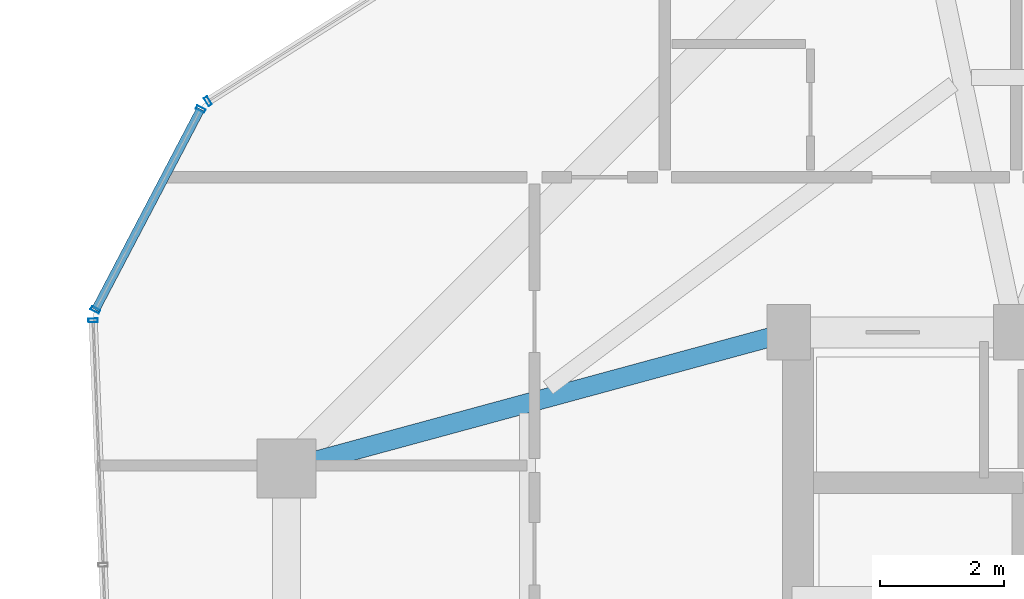
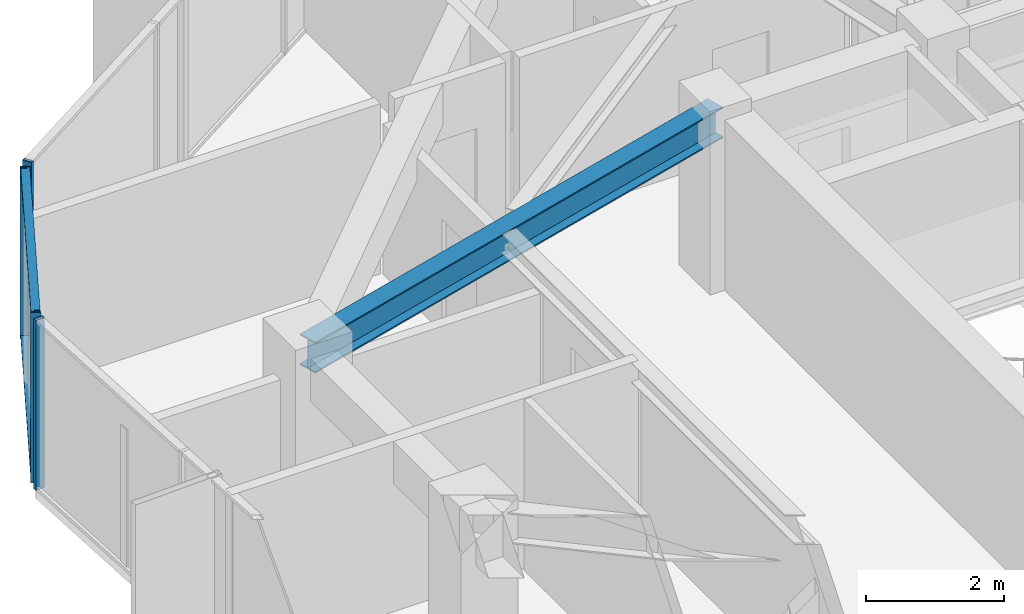
# One storey, part 16 of 33: 6 members, 1 beam, 3 elements without a shape of their own.
"""IFC4 building model written with IfcOpenShell, lengths in metres."""

from ifc_helpers import new_model, si_unit, direction, frame, origin, origin_2d, place, context, subcontext, project, spatial, hollow_rectangle, i_section, extrude, source, transform, mapped, material, layer, layer_set, material_profile, profile_set, type_object, element, aggregate, save


model = new_model("IFC4")

# Units and contexts
model_context = context("Model", 3, precision=1e-05, world=origin(), true_north=direction((0.0, 1.0)))
body_context = subcontext(model_context, "Body", "Model", "MODEL_VIEW")
ifc_project = project(units=[si_unit("LENGTHUNIT", "METRE"), si_unit("AREAUNIT", "SQUARE_METRE"), si_unit("VOLUMEUNIT", "CUBIC_METRE"), si_unit("PLANEANGLEUNIT", "RADIAN"), si_unit("MASSUNIT", "GRAM", prefix="KILO")], contexts=[model_context])

# Site, building, storey
site_placement = place(None, origin())
site = spatial("IfcSite", under=ifc_project, at=site_placement, CompositionType="ELEMENT")
building_placement = place(site_placement, origin())
building = spatial("IfcBuilding", under=site, at=building_placement, Name="Veraguas Prism Commons", CompositionType="ELEMENT")
storey_placement = place(building_placement, frame((0.0, 0.0, 198.35009765625)))
storey = spatial("IfcBuildingStorey", under=building, at=storey_placement, Name="L56", CompositionType="ELEMENT", Elevation=198.35009765625)

# Beam
ifc_material_1 = material(Name="Steel ASTM A992 Grade 50", Category="steel")
ifc_material_profile_1 = material_profile(ifc_material_1, i_section(OverallWidth=0.31103515625, OverallDepth=0.5458984375, WebThickness=0.0146484375, FlangeThickness=0.023681640625, at=origin_2d()), Name="W530X165")
ifc_profile_set_1 = profile_set([ifc_material_profile_1], Name="Steel ASTM A992 Grade 50")
beam_type = type_object("IfcBeamType", Name="Zone 3 Radial Girder W530x165", PredefinedType="BEAM", material=ifc_profile_set_1)
beam_placement = place(storey_placement, frame((9.10009765625, 28.800048828125, 2.741943359375), z_axis=(0.965038506703, 0.262108146725, 0.0), x_axis=(-0.262108146725, 0.965038506703, 0.0)))
element("IfcBeam", 1, at=beam_placement, inside=storey, type_object=beam_type, Name="Radial Floor Girder L56-RD07", PredefinedType="BEAM", context=body_context, shape_type="SweptSolid", body=[
    extrude(i_section(OverallWidth=0.31103515625, OverallDepth=0.5458984375, WebThickness=0.0146484375, FlangeThickness=0.023681640625, at=origin_2d()), origin(), (0.0, 0.0, 1.0), 8.393310546875),
])

# Curtain wall, member
ifc_material_2 = material(Name="Anodised aluminium EN AW-6063 T6", Category="aluminium")
ifc_layer = layer(ifc_material_2, 0.14990234375, Name="Unitised Flush Curtain Wall Zone 3", Category="aluminium")
ifc_layer_set = layer_set([ifc_layer], Name="Anodised aluminium EN AW-6063 T6")
curtain_wall_type = type_object("IfcCurtainWallType", Name="Unitised Flush Curtain Wall Zone 3", PredefinedType="NOTDEFINED", material=ifc_layer_set)
curtain_wall_1_placement = place(storey_placement, origin())
curtain_wall_1 = element("IfcCurtainWall", 2, at=curtain_wall_1_placement, inside=storey, type_object=curtain_wall_type, Name="Tower Facade Curtain Wall L56-F2", PredefinedType="NOTDEFINED")
ifc_material_profile_2 = material_profile(ifc_material_2, hollow_rectangle(XDim=0.06005859375, YDim=0.14990234375, WallThickness=0.0029296875, at=origin_2d()), Name="AL60X150X3")
ifc_profile_set_2 = profile_set([ifc_material_profile_2], Name="Anodised aluminium EN AW-6063 T6")
member_type_1 = type_object("IfcMemberType", Name="Curtain Wall Mullion Upper AL 60x150x3", PredefinedType="MULLION", material=ifc_profile_set_2)
shared_shape_1 = source(origin(), body_context, "Body", "SweptSolid", [
    extrude(hollow_rectangle(XDim=0.06005859375, YDim=0.14990234375, WallThickness=0.0029296875, at=origin_2d()), origin(), (0.0, 0.0, 1.0), 3.014892578125),
])
member_1_placement = place(storey_placement, frame((7.83349609375, 34.725830078125, 0.0), z_axis=(0.0, 0.0, 1.0), x_axis=(-0.844886711646, -0.534945272419, 0.0)))
member_1 = element("IfcMember", 3, at=member_1_placement, type_object=member_type_1, Name="CW-Z3 Mullion 5", PredefinedType="MULLION", context=body_context, shape_type="MappedRepresentation", body=[
    mapped(shared_shape_1, transform((0.0, 0.0, 0.0), scale=1.0)),
])
aggregate(curtain_wall_1, [member_1])

curtain_wall_2_placement = place(storey_placement, origin())
curtain_wall_2 = element("IfcCurtainWall", 4, at=curtain_wall_2_placement, inside=storey, type_object=curtain_wall_type, Name="Tower Facade Curtain Wall L56-F3", PredefinedType="NOTDEFINED")
member_2_placement = place(storey_placement, frame((5.981201171875, 31.19140625, 0.0), z_axis=(0.0, 0.0, 1.0), x_axis=(0.040829351979, -0.999166134343, 0.0)))
member_2 = element("IfcMember", 5, at=member_2_placement, type_object=member_type_1, Name="CW-Z3 Mullion 1", PredefinedType="MULLION", context=body_context, shape_type="MappedRepresentation", body=[
    mapped(shared_shape_1, transform((0.0, 0.0, 0.0), scale=1.0)),
])
aggregate(curtain_wall_2, [member_2])

# Curtain wall, members
curtain_wall_3_placement = place(storey_placement, origin())
curtain_wall_3 = element("IfcCurtainWall", 6, at=curtain_wall_3_placement, inside=storey, type_object=curtain_wall_type, Name="Chamfer Curtain Wall L56-C3", PredefinedType="NOTDEFINED")
member_3_placement = place(storey_placement, frame((7.715576171875, 34.597900390625, 0.0), z_axis=(0.0, 0.0, 1.0), x_axis=(-0.464189801669, -0.885735755193, 0.0)))
member_3 = element("IfcMember", 7, at=member_3_placement, type_object=member_type_1, Name="CW-Z3 Mullion 1", PredefinedType="MULLION", context=body_context, shape_type="MappedRepresentation", body=[
    mapped(shared_shape_1, transform((0.0, 0.0, 0.0), scale=1.0)),
])
member_4_placement = place(storey_placement, frame((6.019287109375, 31.361083984375, 0.0), z_axis=(0.0, 0.0, 1.0), x_axis=(-0.464189801669, -0.885735755193, 0.0)))
member_4 = element("IfcMember", 8, at=member_4_placement, type_object=member_type_1, Name="CW-Z3 Mullion 2", PredefinedType="MULLION", context=body_context, shape_type="MappedRepresentation", body=[
    mapped(shared_shape_1, transform((0.0, 0.0, 0.0), scale=1.0)),
])
ifc_material_profile_3 = material_profile(ifc_material_2, hollow_rectangle(XDim=0.054931640625, YDim=0.135009765625, WallThickness=0.0029296875, at=origin_2d()), Name="AL55X135X3")
ifc_profile_set_3 = profile_set([ifc_material_profile_3], Name="Anodised aluminium EN AW-6063 T6")
member_type_2 = type_object("IfcMemberType", Name="Curtain Wall Transom Standard AL 55x135x3", PredefinedType="USERDEFINED", material=ifc_profile_set_3)
shared_shape_2 = source(origin(), body_context, "Body", "SweptSolid", [
    extrude(hollow_rectangle(XDim=0.054931640625, YDim=0.135009765625, WallThickness=0.0029296875, at=origin_2d()), origin(), (0.0, 0.0, 1.0), 3.654296875),
])
member_5_placement = place(storey_placement, frame((7.715576171875, 34.597900390625, 0.02734375), z_axis=(-0.464181732451, -0.885739984001, 0.0), x_axis=(0.0, 0.0, 1.0)))
member_5 = element("IfcMember", 9, at=member_5_placement, type_object=member_type_2, Name="CW-Z3 Transom 1", ObjectType="TRANSOM", PredefinedType="USERDEFINED", context=body_context, shape_type="MappedRepresentation", body=[
    mapped(shared_shape_2, transform((0.0, 0.0, 0.0), scale=1.0)),
])
member_6_placement = place(storey_placement, frame((7.715576171875, 34.597900390625, 2.9873046875), z_axis=(-0.464181732451, -0.885739984001, 0.0), x_axis=(0.0, 0.0, 1.0)))
member_6 = element("IfcMember", 10, at=member_6_placement, type_object=member_type_2, Name="CW-Z3 Transom 2", ObjectType="TRANSOM", PredefinedType="USERDEFINED", context=body_context, shape_type="MappedRepresentation", body=[
    mapped(shared_shape_2, transform((0.0, 0.0, 0.0), scale=1.0)),
])
aggregate(curtain_wall_3, [member_3, member_4, member_5, member_6])

save(model, "model.ifc")
